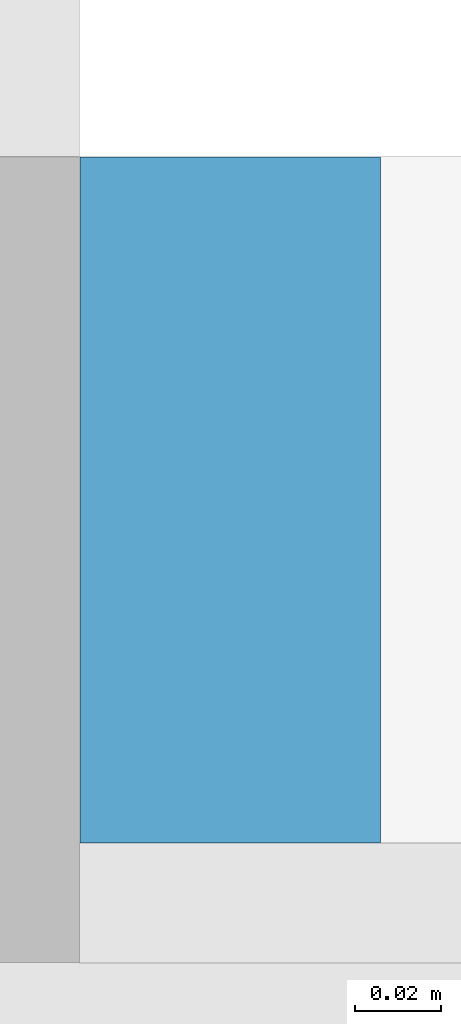
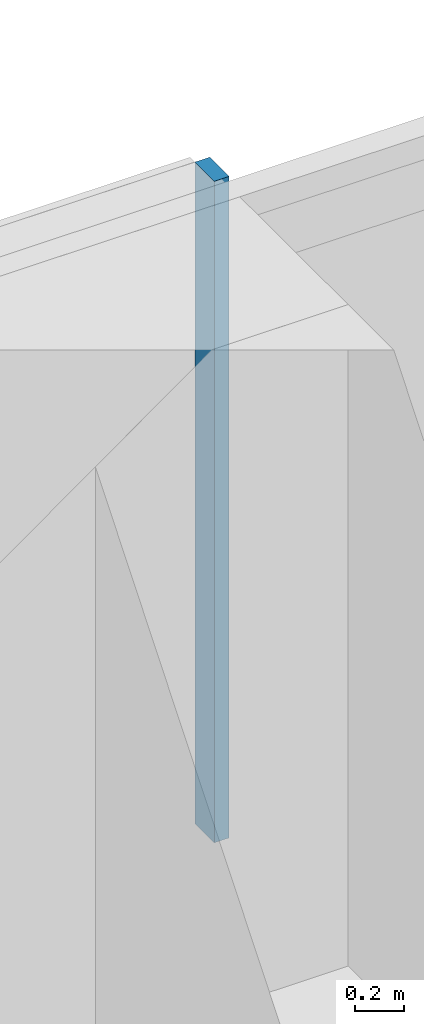
# One storey, part 9 of 25: 1 member, 1 element without a shape of its own.
"""IFC4 building model written with IfcOpenShell, lengths in metres."""

import ifcopenshell
import ifcopenshell.guid

model = None  # the IFC model being written
_history = None  # IfcOwnerHistory: only IFC2X3 demands one
_inside = {}  # id of a spatial element -> (the spatial element, [elements in it])
_under = {}  # id of a project, library or spatial element -> (it, [spatial elements below it])
_declared = {}  # id of a project -> (the project, [libraries it declares])
_typed = {}  # id of a type object -> (the type object, [elements of that type])
_made_of = {}  # id of a material, layer set ... -> (it, [elements and type objects made of it])


def new_model(schema):
    """Start an empty IFC model of exactly this schema.

    Asked for "IFC4X3", IfcOpenShell would pick the latest addendum, in which some entities
    have other attributes; the version numbers below select the first issue.
    IFC2X3 requires an IfcOwnerHistory on every rooted entity: one is made here for all.
    """
    global model, _history
    if schema == "IFC4X3":
        model = ifcopenshell.file(schema_version=(4, 3, 0, 0))
    else:
        model = ifcopenshell.file(schema=schema)
    _inside.clear()
    _under.clear()
    _declared.clear()
    _typed.clear()
    _made_of.clear()
    _history = None
    if model.schema == "IFC2X3":
        org = make("IfcOrganization", Name="unknown")
        user = make(
            "IfcPersonAndOrganization",
            ThePerson=make("IfcPerson", FamilyName="unknown"),
            TheOrganization=org,
        )
        app = make(
            "IfcApplication",
            ApplicationDeveloper=org,
            Version="unknown",
            ApplicationFullName="unknown",
            ApplicationIdentifier="unknown",
        )
        _history = make(
            "IfcOwnerHistory",
            OwningUser=user,
            OwningApplication=app,
            ChangeAction="ADDED",
            CreationDate=0,
        )
    return model


def make(cls, **values):
    """One entity of the class cls with the attributes given. An attribute that is None is left unset."""
    return model.create_entity(
        cls, **{name: value for name, value in values.items() if value is not None}
    )


def rooted(cls, **values):
    """An entity with a GlobalId (a new one), such as an element, a storey or a relation."""
    return make(cls, GlobalId=ifcopenshell.guid.new(), OwnerHistory=_history, **values)


def si_unit(unit_type, name, prefix=None):
    """IfcSIUnit, for example si_unit("LENGTHUNIT", "METRE", prefix="MILLI")."""
    return make("IfcSIUnit", UnitType=unit_type, Prefix=prefix, Name=name)


def assignment(units):
    """IfcUnitAssignment: the units of a project."""
    return None if units is None else make("IfcUnitAssignment", Units=units)


def point(xyz):
    """IfcCartesianPoint."""
    return None if xyz is None else make("IfcCartesianPoint", Coordinates=xyz)


def direction(xyz):
    """IfcDirection."""
    return None if xyz is None else make("IfcDirection", DirectionRatios=xyz)


def frame(location, z_axis=None, x_axis=None):
    """IfcAxis2Placement3D, a coordinate frame: its origin and axes. An axis left out is left unset."""
    return make(
        "IfcAxis2Placement3D",
        Location=point(location),
        Axis=direction(z_axis),
        RefDirection=direction(x_axis),
    )


def frame_2d(location, x_axis=None):
    """IfcAxis2Placement2D, a coordinate frame in the plane: its origin and x axis."""
    return make(
        "IfcAxis2Placement2D", Location=point(location), RefDirection=direction(x_axis)
    )


def origin():
    """The frame at (0, 0, 0) with its axes left unset."""
    return frame((0.0, 0.0, 0.0))


def origin_2d():
    """The frame at (0, 0) in the plane with its x axis left unset."""
    return frame_2d((0.0, 0.0))


def place(relative_to, where):
    """IfcLocalPlacement: puts the frame where relative to a parent placement (None: the world)."""
    return make(
        "IfcLocalPlacement", PlacementRelTo=relative_to, RelativePlacement=where
    )


def context(
    kind, dimensions, precision=None, world=None, true_north=None, identifier=None
):
    """IfcGeometricRepresentationContext, for example the 3D "Model" context."""
    return make(
        "IfcGeometricRepresentationContext",
        ContextIdentifier=identifier,
        ContextType=kind,
        CoordinateSpaceDimension=dimensions,
        Precision=precision,
        WorldCoordinateSystem=world,
        TrueNorth=true_north,
    )


def subcontext(parent, identifier, kind, view, scale=None):
    """IfcGeometricRepresentationSubContext, for example "Body" below "Model"."""
    return make(
        "IfcGeometricRepresentationSubContext",
        ContextIdentifier=identifier,
        ContextType=kind,
        ParentContext=parent,
        TargetScale=scale,
        TargetView=view,
    )


def project(units=None, contexts=None):
    """IfcProject with its units and contexts."""
    return rooted(
        "IfcProject",
        Name="project",
        RepresentationContexts=contexts,
        UnitsInContext=assignment(units),
    )


def spatial(cls, under=None, at=None, **own):
    """A site, building, storey or space (cls), placed at a placement, below another one or the project."""
    s = rooted(cls, ObjectPlacement=at, **own)
    if under is not None:
        _under.setdefault(under.id(), (under, []))[1].append(s)
    return s


def profile(cls, at=None, kind="AREA", **sizes):
    """A parametric profile (cls). Its sizes go by their IFC names, for example OverallWidth=200.0."""
    return make(cls, ProfileType=kind, Position=at, **sizes)


def rectangle(**sizes):
    """IfcRectangleProfileDef."""
    return profile("IfcRectangleProfileDef", **sizes)


def extrude(swept, where, along, depth):
    """IfcExtrudedAreaSolid: the profile swept, set in the frame where, extruded along a direction by depth."""
    return make(
        "IfcExtrudedAreaSolid",
        SweptArea=swept,
        Position=where,
        ExtrudedDirection=direction(along),
        Depth=depth,
    )


def shape(context_of_items, identifier, shape_type, items):
    """IfcShapeRepresentation: the items that make up one representation, for example the "Body"."""
    return make(
        "IfcShapeRepresentation",
        ContextOfItems=context_of_items,
        RepresentationIdentifier=identifier,
        RepresentationType=shape_type,
        Items=items,
    )


def material(Name=None, Category=None):
    """IfcMaterial."""
    return make("IfcMaterial", Name=Name, Category=Category)


def material_profile(
    of_material, cross_section, Name=None, Category=None, Priority=None
):
    """IfcMaterialProfile: a cross section and its material."""
    return make(
        "IfcMaterialProfile",
        Name=Name,
        Material=of_material,
        Profile=cross_section,
        Priority=Priority,
        Category=Category,
    )


def profile_set(profiles, Name=None, composite=None):
    """IfcMaterialProfileSet."""
    return make(
        "IfcMaterialProfileSet",
        Name=Name,
        MaterialProfiles=profiles,
        CompositeProfile=composite,
    )


def made_of(thing, what):
    """Note that an element or type object is made of a material, layer set ...; save() writes the relation."""
    if what is not None:
        _made_of.setdefault(what.id(), (what, []))[1].append(thing)
    return thing


def type_object(cls, material=None, **own):
    """A type object (cls), such as IfcWallType, which elements share."""
    return made_of(rooted(cls, **own), material)


def element(
    cls,
    number,
    at=None,
    inside=None,
    cuts=None,
    type_object=None,
    material=None,
    context=None,
    identifier="Body",
    shape_type=None,
    held_by="IfcProductDefinitionShape",
    body=None,
    shapes=None,
    **own,
):
    """One element of the class cls, such as IfcWall. Its Tag is "e" and its number.

    at: its placement. inside: the storey or other place that contains it. cuts: it is an
    opening in that element (IfcRelVoidsElement). A single representation is given by context,
    identifier, shape_type and body (its items); several are given by shapes. held_by: the class
    of the entity that holds the representations. save() writes the other relations.
    """
    e = rooted(cls, Tag="e%d" % number, ObjectPlacement=at, **own)
    if body is not None:
        shapes = [shape(context, identifier, shape_type, body)]
    if shapes is not None:
        e.Representation = make(held_by, Representations=shapes)
    if inside is not None:
        _inside.setdefault(inside.id(), (inside, []))[1].append(e)
    if cuts is not None:
        rooted(
            "IfcRelVoidsElement", RelatingBuildingElement=cuts, RelatedOpeningElement=e
        )
    if type_object is not None:
        _typed.setdefault(type_object.id(), (type_object, []))[1].append(e)
    return made_of(e, material)


def aggregate(whole, parts):
    """IfcRelAggregates: a whole, such as a stair, and the parts it consists of."""
    return rooted("IfcRelAggregates", RelatingObject=whole, RelatedObjects=parts)


def save(model, path):
    """Write the relations noted so far, then the file.

    IfcRelAggregates (storeys below a building ...), IfcRelContainedInSpatialStructure (elements
    in a storey), IfcRelDefinesByType, IfcRelAssociatesMaterial and IfcRelDeclares: one each for
    every whole, place, type object, material and project.
    """
    for whole, parts in _under.values():
        aggregate(whole, parts)
    for where, things in _inside.values():
        rooted(
            "IfcRelContainedInSpatialStructure",
            RelatedElements=things,
            RelatingStructure=where,
        )
    for kind, things in _typed.values():
        rooted("IfcRelDefinesByType", RelatedObjects=things, RelatingType=kind)
    for what, things in _made_of.values():
        rooted("IfcRelAssociatesMaterial", RelatedObjects=things, RelatingMaterial=what)
    for by, libraries in _declared.values():
        rooted("IfcRelDeclares", RelatingContext=by, RelatedDefinitions=libraries)
    model.write(path)


model = new_model("IFC4")

# Units and contexts
model_context = context("Model", 3, precision=1e-05, world=origin(), true_north=direction((0.0, 1.0)))
body_context = subcontext(model_context, "Body", "Model", "MODEL_VIEW")
ifc_project = project(units=[si_unit("LENGTHUNIT", "METRE"), si_unit("AREAUNIT", "SQUARE_METRE"), si_unit("VOLUMEUNIT", "CUBIC_METRE"), si_unit("PLANEANGLEUNIT", "RADIAN"), si_unit("MASSUNIT", "GRAM", prefix="KILO")], contexts=[model_context])

# Site, building, storey
site_placement = place(None, origin())
site = spatial("IfcSite", under=ifc_project, at=site_placement, CompositionType="ELEMENT")
building_placement = place(site_placement, origin())
building = spatial("IfcBuilding", under=site, at=building_placement, Name="Saffron Gate Tower", CompositionType="ELEMENT")
storey_placement = place(building_placement, frame((0.0, 0.0, 73.199951171875)))
storey = spatial("IfcBuildingStorey", under=building, at=storey_placement, Name="L17", CompositionType="ELEMENT", Elevation=73.199951171875)

# Curtain wall, member
ifc_material = material(Name="Aluminium, bronze anodised", Category="aluminium")
curtain_wall_type = type_object("IfcCurtainWallType", Name="CWS3 curtain wall rear facade", PredefinedType="NOTDEFINED", material=ifc_material)
curtain_wall_placement = place(storey_placement, origin())
curtain_wall = element("IfcCurtainWall", 1, at=curtain_wall_placement, inside=storey, type_object=curtain_wall_type, Name="CWS3 run 7", PredefinedType="NOTDEFINED")
ifc_material_profile = material_profile(ifc_material, rectangle(XDim=0.159912109375, YDim=0.070068359375, at=origin_2d()))
ifc_profile_set = profile_set([ifc_material_profile], Name="Aluminium, bronze anodised")
member_type = type_object("IfcMemberType", Name="CWS3 mullion 70x160", PredefinedType="MULLION", material=ifc_profile_set)
member_placement = place(storey_placement, frame((108.60009765625, 75.52001953125, 0.0), z_axis=(0.0, 0.0, 1.0), x_axis=(0.0, -1.0, 0.0)))
member = element("IfcMember", 2, at=member_placement, type_object=member_type, Name="CWS3 mullion 3", PredefinedType="MULLION", context=body_context, shape_type="SweptSolid", body=[
    extrude(rectangle(XDim=0.159912109375, YDim=0.070068359375, at=origin_2d()), origin(), (0.0, 0.0, 1.0), 3.320068359375),
])
aggregate(curtain_wall, [member])

save(model, "model.ifc")
